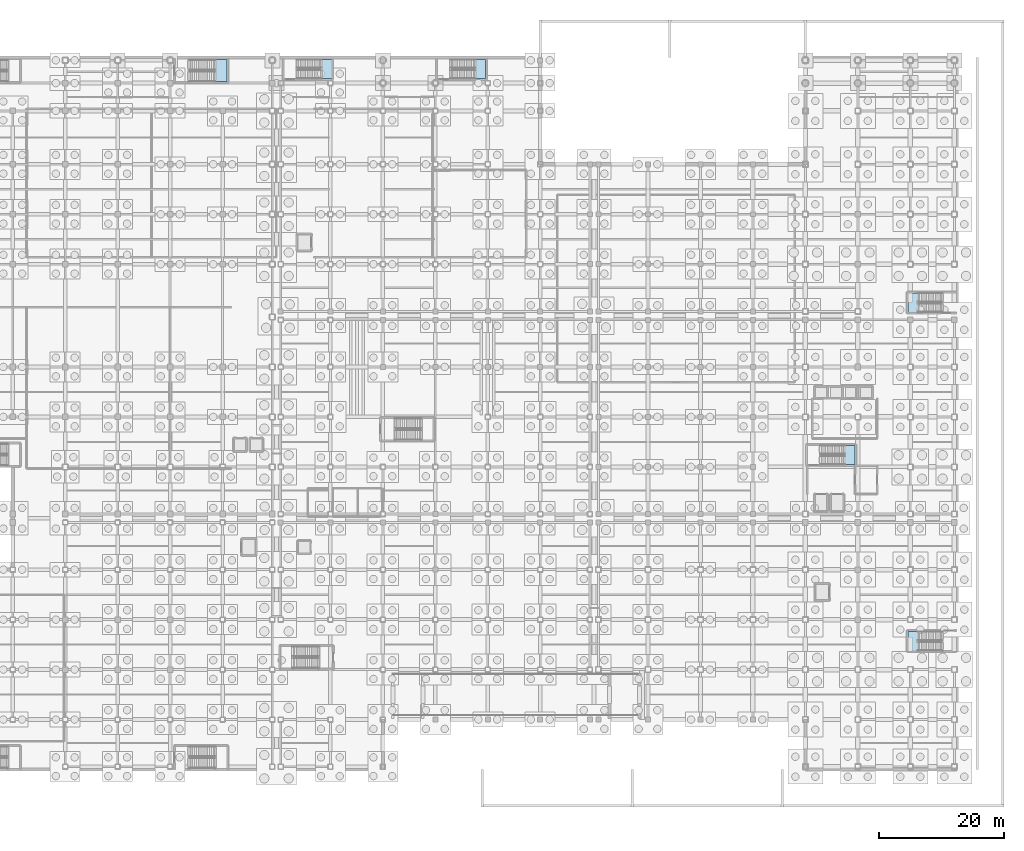
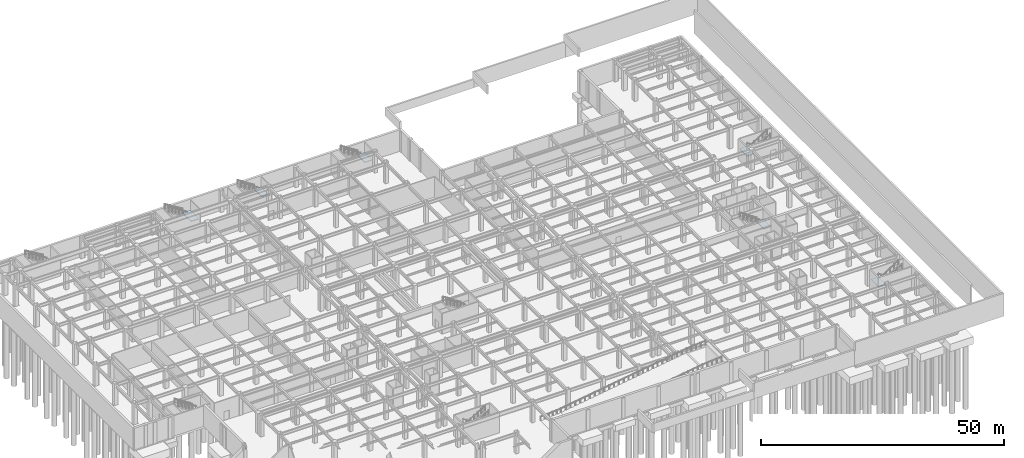
# One storey, part 31 of 55: 6 slabs, 6 elements without a shape of their own.
"""IFC4 building model written with IfcOpenShell, lengths in metres."""

from ifc_helpers import new_model, si_unit, direction, frame, origin, place, context, subcontext, project, spatial, polyline, outline, extrude, material, layer, layer_set, type_object, element, aggregate, save


model = new_model("IFC4")

# Units and contexts
model_context = context("Model", 3, precision=1e-05, world=origin(), true_north=direction((0.0, 1.0)))
body_context = subcontext(model_context, "Body", "Model", "MODEL_VIEW")
ifc_project = project(units=[si_unit("LENGTHUNIT", "METRE"), si_unit("AREAUNIT", "SQUARE_METRE"), si_unit("VOLUMEUNIT", "CUBIC_METRE"), si_unit("PLANEANGLEUNIT", "RADIAN"), si_unit("MASSUNIT", "GRAM", prefix="KILO")], contexts=[model_context])

# Site, building, storey
site_placement = place(None, origin())
site = spatial("IfcSite", under=ifc_project, at=site_placement, CompositionType="ELEMENT")
building_placement = place(site_placement, origin())
building = spatial("IfcBuilding", under=site, at=building_placement, Name="Kazehara Bluff Congress Hotel", CompositionType="ELEMENT")
storey_placement = place(building_placement, frame((0.0, 0.0, -5.39990234375)))
storey = spatial("IfcBuildingStorey", under=building, at=storey_placement, Name="B1", CompositionType="ELEMENT", Elevation=-5.39990234375)

# Stair, slab
ifc_material_1 = material(Name="Concrete C36/45", Category="concrete")
stair_type_1 = type_object("IfcStairType", Name="TP-ST-T01", PredefinedType="HALF_TURN_STAIR", material=ifc_material_1)
stair_1_placement = place(storey_placement, origin())
stair_1 = element("IfcStair", 1, at=stair_1_placement, inside=storey, type_object=stair_type_1, Name="B1 Escape stair ST-02", PredefinedType="HALF_TURN_STAIR")
ifc_material_2 = material(Name="Concrete C36/45", Category="concrete")
ifc_layer = layer(ifc_material_2, 0.199951171875)
ifc_layer_set = layer_set([ifc_layer], Name="Concrete C36/45")
slab_type = type_object("IfcSlabType", Name="TP-SLD-200", PredefinedType="LANDING", material=ifc_layer_set)
slab_1_placement = place(storey_placement, frame((0.0, 0.0, 2.5)))
slab_1 = element("IfcSlab", 2, at=slab_1_placement, type_object=slab_type, Name="ST-02 landing 1", PredefinedType="LANDING", context=body_context, shape_type="SweptSolid", body=[
    extrude(outline(polyline([(49.199951171875, 110.14990234375), (51.10009765625, 110.14990234375), (51.10009765625, 113.64990234375), (49.199951171875, 113.64990234375), (49.199951171875, 110.14990234375)])), origin(), (0.0, 0.0, 1.0), 0.199951171875),
])
aggregate(stair_1, [slab_1])

ifc_material_3 = material(Name="Concrete C36/45", Category="concrete")
stair_type_2 = type_object("IfcStairType", Name="TP-ST-T03", PredefinedType="HALF_TURN_STAIR", material=ifc_material_3)
stair_2_placement = place(storey_placement, origin())
stair_2 = element("IfcStair", 3, at=stair_2_placement, inside=storey, type_object=stair_type_2, Name="B1 Escape stair ST-06", PredefinedType="HALF_TURN_STAIR")
slab_2_placement = place(storey_placement, frame((0.0, 0.0, 2.5)))
slab_2 = element("IfcSlab", 4, at=slab_2_placement, type_object=slab_type, Name="ST-06 landing 1", PredefinedType="LANDING", context=body_context, shape_type="SweptSolid", body=[
    extrude(outline(polyline([(66.219970703125, 110.60009765625), (67.89990234375, 110.60009765625), (67.89990234375, 113.699951171875), (66.219970703125, 113.699951171875), (66.219970703125, 110.60009765625)])), origin(), (0.0, 0.0, 1.0), 0.199951171875),
])
aggregate(stair_2, [slab_2])

stair_3_placement = place(storey_placement, origin())
stair_3 = element("IfcStair", 5, at=stair_3_placement, inside=storey, type_object=stair_type_2, Name="B1 Escape stair ST-07", PredefinedType="HALF_TURN_STAIR")
slab_3_placement = place(storey_placement, frame((0.0, 0.0, 2.5)))
slab_3 = element("IfcSlab", 6, at=slab_3_placement, type_object=slab_type, Name="ST-07 landing 1", PredefinedType="LANDING", context=body_context, shape_type="SweptSolid", body=[
    extrude(outline(polyline([(90.820068359375, 110.60009765625), (92.5, 110.60009765625), (92.5, 113.699951171875), (90.820068359375, 113.699951171875), (90.820068359375, 110.60009765625)])), origin(), (0.0, 0.0, 1.0), 0.199951171875),
])
aggregate(stair_3, [slab_3])

stair_4_placement = place(storey_placement, origin())
stair_4 = element("IfcStair", 7, at=stair_4_placement, inside=storey, type_object=stair_type_2, Name="B1 Escape stair ST-10", PredefinedType="HALF_TURN_STAIR")
slab_4_placement = place(storey_placement, frame((0.0, 0.0, 2.5)))
slab_4 = element("IfcSlab", 8, at=slab_4_placement, type_object=slab_type, Name="ST-10 landing 1", PredefinedType="LANDING", context=body_context, shape_type="SweptSolid", body=[
    extrude(outline(polyline([(161.72998046875, 22.10009765625), (160.10009765625, 22.10009765625), (160.10009765625, 19.0), (161.72998046875, 19.0), (161.72998046875, 22.10009765625)])), origin(), (0.0, 0.0, 1.0), 0.199951171875),
])
aggregate(stair_4, [slab_4])

stair_5_placement = place(storey_placement, origin())
stair_5 = element("IfcStair", 9, at=stair_5_placement, inside=storey, type_object=stair_type_2, Name="B1 Escape stair ST-11", PredefinedType="HALF_TURN_STAIR")
slab_5_placement = place(storey_placement, frame((0.0, 0.0, 2.5)))
slab_5 = element("IfcSlab", 10, at=slab_5_placement, type_object=slab_type, Name="ST-11 landing 1", PredefinedType="LANDING", context=body_context, shape_type="SweptSolid", body=[
    extrude(outline(polyline([(150.02001953125, 48.800048828125), (151.64990234375, 48.800048828125), (151.64990234375, 51.89990234375), (150.02001953125, 51.89990234375), (150.02001953125, 48.800048828125)])), origin(), (0.0, 0.0, 1.0), 0.199951171875),
])
aggregate(stair_5, [slab_5])

stair_6_placement = place(storey_placement, origin())
stair_6 = element("IfcStair", 11, at=stair_6_placement, inside=storey, type_object=stair_type_2, Name="B1 Escape stair ST-12", PredefinedType="HALF_TURN_STAIR")
slab_6_placement = place(storey_placement, frame((0.0, 0.0, 2.5)))
slab_6 = element("IfcSlab", 12, at=slab_6_placement, type_object=slab_type, Name="ST-12 landing 1", PredefinedType="LANDING", context=body_context, shape_type="SweptSolid", body=[
    extrude(outline(polyline([(161.72998046875, 76.300048828125), (160.10009765625, 76.300048828125), (160.10009765625, 73.199951171875), (161.72998046875, 73.199951171875), (161.72998046875, 76.300048828125)])), origin(), (0.0, 0.0, 1.0), 0.199951171875),
])
aggregate(stair_6, [slab_6])

save(model, "model.ifc")
